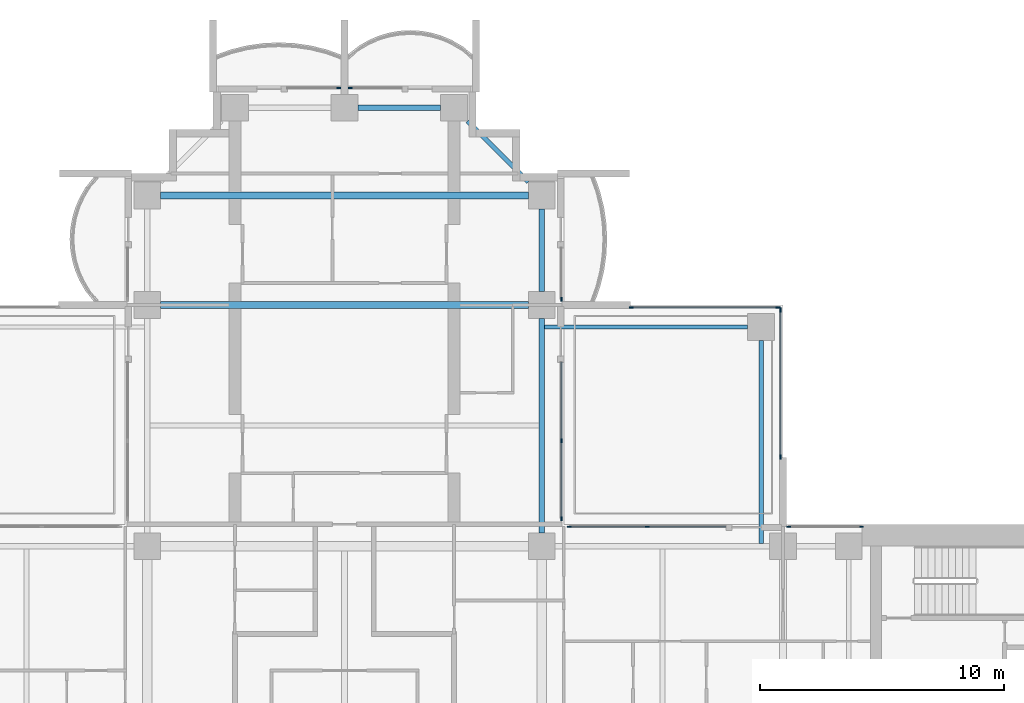
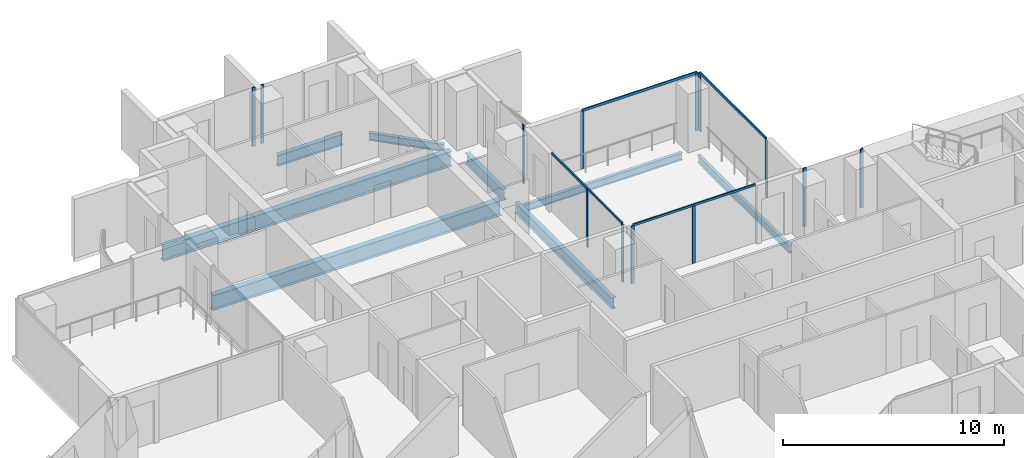
# One storey, part 6 of 18: 17 members, 8 beams, 8 elements without a shape of their own.
"""IFC4 building model written with IfcOpenShell, lengths in metres."""

from ifc_helpers import new_model, si_unit, direction, frame, origin, origin_2d, place, context, subcontext, project, spatial, rectangle, i_section, extrude, material, material_profile, profile_set, type_object, element, aggregate, save


model = new_model("IFC4")

# Units and contexts
model_context = context("Model", 3, precision=1e-05, world=origin(), true_north=direction((0.0, 1.0)))
body_context = subcontext(model_context, "Body", "Model", "MODEL_VIEW")
ifc_project = project(units=[si_unit("LENGTHUNIT", "METRE"), si_unit("AREAUNIT", "SQUARE_METRE"), si_unit("VOLUMEUNIT", "CUBIC_METRE"), si_unit("PLANEANGLEUNIT", "RADIAN"), si_unit("MASSUNIT", "GRAM", prefix="KILO")], contexts=[model_context])

# Site, building, storey
site_placement = place(None, origin())
site = spatial("IfcSite", under=ifc_project, at=site_placement, CompositionType="ELEMENT")
building_placement = place(site_placement, origin())
building = spatial("IfcBuilding", under=site, at=building_placement, Name="Perihelion Cross Residences", CompositionType="ELEMENT")
storey_placement = place(building_placement, frame((0.0, 0.0, 123.39990234375)))
storey = spatial("IfcBuildingStorey", under=building, at=storey_placement, Name="L29", CompositionType="ELEMENT", Elevation=123.39990234375)

# Curtain wall, members
ifc_material_1 = material(Name="Bronze anodised aluminium, tinted glazing", Category="aluminium")
curtain_wall_type_1 = type_object("IfcCurtainWallType", Name="CW1", PredefinedType="NOTDEFINED", material=ifc_material_1)
curtain_wall_1_placement = place(storey_placement, origin())
curtain_wall_1 = element("IfcCurtainWall", 1, at=curtain_wall_1_placement, inside=storey, type_object=curtain_wall_type_1, Name="Curtain wall CW1 L29 east side north bay 1", PredefinedType="NOTDEFINED")
ifc_material_2 = material(Name="Bronze anodised aluminium", Category="aluminium")
ifc_material_profile_1 = material_profile(ifc_material_2, rectangle(XDim=0.06005859375, YDim=0.159912109375, at=origin_2d()), Name="CW1 mullion")
ifc_profile_set_1 = profile_set([ifc_material_profile_1], Name="Bronze anodised aluminium")
member_type_1 = type_object("IfcMemberType", Name="CW1 mullion", PredefinedType="MULLION", material=ifc_profile_set_1)
member_1_placement = place(storey_placement, frame((21.219970703125, 8.89990234375, 0.0), z_axis=(0.0, 0.0, 1.0), x_axis=(0.0, -1.0, 0.0)))
member_1 = element("IfcMember", 2, at=member_1_placement, type_object=member_type_1, Name="CW1 mullion 1", PredefinedType="MULLION", context=body_context, shape_type="SweptSolid", body=[
    extrude(rectangle(XDim=0.06005859375, YDim=0.159912109375, at=origin_2d()), origin(), (0.0, 0.0, 1.0), 3.25),
])
member_2_placement = place(storey_placement, frame((18.22998046875, 8.89990234375, 0.0), z_axis=(0.0, 0.0, 1.0), x_axis=(0.0, -1.0, 0.0)))
member_2 = element("IfcMember", 3, at=member_2_placement, type_object=member_type_1, Name="CW1 mullion 2", PredefinedType="MULLION", context=body_context, shape_type="SweptSolid", body=[
    extrude(rectangle(XDim=0.06005859375, YDim=0.159912109375, at=origin_2d()), origin(), (0.0, 0.0, 1.0), 3.25),
])
aggregate(curtain_wall_1, [member_1, member_2])

curtain_wall_2_placement = place(storey_placement, origin())
curtain_wall_2 = element("IfcCurtainWall", 4, at=curtain_wall_2_placement, inside=storey, type_object=curtain_wall_type_1, Name="Curtain wall CW1 L29 east side north bay 2", PredefinedType="NOTDEFINED")
member_3_placement = place(storey_placement, frame((12.425048828125, 8.89990234375, 0.0), z_axis=(0.0, 0.0, 1.0), x_axis=(0.0, -1.0, 0.0)))
member_3 = element("IfcMember", 5, at=member_3_placement, type_object=member_type_1, Name="CW1 mullion 2", PredefinedType="MULLION", context=body_context, shape_type="SweptSolid", body=[
    extrude(rectangle(XDim=0.06005859375, YDim=0.159912109375, at=origin_2d()), origin(), (0.0, 0.0, 1.0), 3.190185546875),
])
member_4_placement = place(storey_placement, frame((9.22998046875, 8.89990234375, 0.0), z_axis=(0.0, 0.0, 1.0), x_axis=(0.0, -1.0, 0.0)))
member_4 = element("IfcMember", 6, at=member_4_placement, type_object=member_type_1, Name="CW1 mullion 3", PredefinedType="MULLION", context=body_context, shape_type="SweptSolid", body=[
    extrude(rectangle(XDim=0.06005859375, YDim=0.159912109375, at=origin_2d()), origin(), (0.0, 0.0, 1.0), 3.190185546875),
])

curtain_wall_3_placement = place(storey_placement, origin())
curtain_wall_3 = element("IfcCurtainWall", 7, at=curtain_wall_3_placement, inside=storey, type_object=curtain_wall_type_1, Name="Curtain wall CW1 L29 north side east bay 1", PredefinedType="NOTDEFINED")
member_5_placement = place(storey_placement, frame((8.89990234375, 9.22998046875, 0.0), z_axis=(0.0, 0.0, 1.0), x_axis=(-1.0, 0.0, 0.0)))
member_5 = element("IfcMember", 8, at=member_5_placement, type_object=member_type_1, Name="CW1 mullion 1", PredefinedType="MULLION", context=body_context, shape_type="SweptSolid", body=[
    extrude(rectangle(XDim=0.06005859375, YDim=0.159912109375, at=origin_2d()), origin(), (0.0, 0.0, 1.0), 3.190185546875),
])
member_6_placement = place(storey_placement, frame((8.89990234375, 12.425048828125, 0.0), z_axis=(0.0, 0.0, 1.0), x_axis=(-1.0, 0.0, 0.0)))
member_6 = element("IfcMember", 9, at=member_6_placement, type_object=member_type_1, Name="CW1 mullion 2", PredefinedType="MULLION", context=body_context, shape_type="SweptSolid", body=[
    extrude(rectangle(XDim=0.06005859375, YDim=0.159912109375, at=origin_2d()), origin(), (0.0, 0.0, 1.0), 3.190185546875),
])

# Curtain wall, member
curtain_wall_4_placement = place(storey_placement, origin())
curtain_wall_4 = element("IfcCurtainWall", 10, at=curtain_wall_4_placement, inside=storey, type_object=curtain_wall_type_1, Name="Curtain wall CW1 L29 north side east bay 2", PredefinedType="NOTDEFINED")
member_7_placement = place(storey_placement, frame((8.89990234375, 18.22998046875, 0.0), z_axis=(0.0, 0.0, 1.0), x_axis=(-1.0, 0.0, 0.0)))
member_7 = element("IfcMember", 11, at=member_7_placement, type_object=member_type_1, Name="CW1 mullion 1", PredefinedType="MULLION", context=body_context, shape_type="SweptSolid", body=[
    extrude(rectangle(XDim=0.06005859375, YDim=0.159912109375, at=origin_2d()), origin(), (0.0, 0.0, 1.0), 3.25),
])
aggregate(curtain_wall_4, [member_7])

curtain_wall_5_placement = place(storey_placement, origin())
curtain_wall_5 = element("IfcCurtainWall", 12, at=curtain_wall_5_placement, inside=storey, type_object=curtain_wall_type_1, Name="Curtain wall CW1 L29 north tip north bay 1", PredefinedType="NOTDEFINED")
member_8_placement = place(storey_placement, frame((0.22998046875, 26.89990234375, 0.0), z_axis=(0.0, 0.0, 1.0), x_axis=(0.0, -1.0, 0.0)))
member_8 = element("IfcMember", 13, at=member_8_placement, type_object=member_type_1, Name="CW1 mullion 2", PredefinedType="MULLION", context=body_context, shape_type="SweptSolid", body=[
    extrude(rectangle(XDim=0.06005859375, YDim=0.159912109375, at=origin_2d()), origin(), (0.0, 0.0, 1.0), 3.25),
])
aggregate(curtain_wall_5, [member_8])

curtain_wall_6_placement = place(storey_placement, origin())
curtain_wall_6 = element("IfcCurtainWall", 14, at=curtain_wall_6_placement, inside=storey, type_object=curtain_wall_type_1, Name="Curtain wall CW1 L29 north tip north bay 2", PredefinedType="NOTDEFINED")
member_9_placement = place(storey_placement, frame((-0.22998046875, 26.89990234375, 0.0), z_axis=(0.0, 0.0, 1.0), x_axis=(0.0, -1.0, 0.0)))
member_9 = element("IfcMember", 15, at=member_9_placement, type_object=member_type_1, Name="CW1 mullion 1", PredefinedType="MULLION", context=body_context, shape_type="SweptSolid", body=[
    extrude(rectangle(XDim=0.06005859375, YDim=0.159912109375, at=origin_2d()), origin(), (0.0, 0.0, 1.0), 3.25),
])
aggregate(curtain_wall_6, [member_9])

# Member
ifc_material_3 = material(Name="Bronze anodised aluminium", Category="aluminium")
ifc_material_profile_2 = material_profile(ifc_material_3, rectangle(XDim=0.06005859375, YDim=0.1201171875, at=origin_2d()), Name="CW1 transom")
ifc_profile_set_2 = profile_set([ifc_material_profile_2], Name="Bronze anodised aluminium")
member_type_2 = type_object("IfcMemberType", Name="CW1 transom", PredefinedType="USERDEFINED", material=ifc_profile_set_2)
member_10_placement = place(storey_placement, frame((15.64990234375, 8.89990234375, 3.22021484375), z_axis=(-1.0, 0.0, 0.0), x_axis=(0.0, -1.0, 0.0)))
member_10 = element("IfcMember", 16, at=member_10_placement, type_object=member_type_2, Name="CW1 head transom", ObjectType="TRANSOM", PredefinedType="USERDEFINED", context=body_context, shape_type="SweptSolid", body=[
    extrude(rectangle(XDim=0.06005859375, YDim=0.1201171875, at=origin_2d()), origin(), (0.0, 0.0, 1.0), 6.419921875),
])

aggregate(curtain_wall_2, [member_3, member_4, member_10])

member_11_placement = place(storey_placement, frame((8.89990234375, 9.22998046875, 3.22021484375), z_axis=(0.0, 1.0, 0.0), x_axis=(-1.0, 0.0, 0.0)))
member_11 = element("IfcMember", 17, at=member_11_placement, type_object=member_type_2, Name="CW1 head transom", ObjectType="TRANSOM", PredefinedType="USERDEFINED", context=body_context, shape_type="SweptSolid", body=[
    extrude(rectangle(XDim=0.06005859375, YDim=0.1201171875, at=origin_2d()), origin(), (0.0, 0.0, 1.0), 6.419921875),
])

aggregate(curtain_wall_3, [member_5, member_6, member_11])

# Curtain wall, members
ifc_material_4 = material(Name="Bronze anodised aluminium, tinted glazing", Category="aluminium")
curtain_wall_type_2 = type_object("IfcCurtainWallType", Name="CW4", PredefinedType="NOTDEFINED", material=ifc_material_4)
curtain_wall_7_placement = place(storey_placement, origin())
curtain_wall_7 = element("IfcCurtainWall", 18, at=curtain_wall_7_placement, inside=storey, type_object=curtain_wall_type_2, Name="Curtain wall CW4 L29 pocket north-east 1 1", PredefinedType="NOTDEFINED")
ifc_material_5 = material(Name="Bronze anodised aluminium", Category="aluminium")
ifc_material_profile_3 = material_profile(ifc_material_5, rectangle(XDim=0.06005859375, YDim=0.179931640625, at=origin_2d()), Name="CW4 mullion")
ifc_profile_set_3 = profile_set([ifc_material_profile_3], Name="Bronze anodised aluminium")
member_type_3 = type_object("IfcMemberType", Name="CW4 mullion", PredefinedType="MULLION", material=ifc_profile_set_3)
member_12_placement = place(storey_placement, frame((11.77001953125, 17.89990234375, 0.0), z_axis=(0.0, 0.0, 1.0), x_axis=(0.0, 1.0, 0.0)))
member_12 = element("IfcMember", 19, at=member_12_placement, type_object=member_type_3, Name="CW4 mullion 1", PredefinedType="MULLION", context=body_context, shape_type="SweptSolid", body=[
    extrude(rectangle(XDim=0.06005859375, YDim=0.179931640625, at=origin_2d()), origin(), (0.0, 0.0, 1.0), 3.190185546875),
])
member_13_placement = place(storey_placement, frame((17.800048828125, 17.89990234375, 0.0), z_axis=(0.0, 0.0, 1.0), x_axis=(0.0, 1.0, 0.0)))
member_13 = element("IfcMember", 20, at=member_13_placement, type_object=member_type_3, Name="CW4 mullion 2", PredefinedType="MULLION", context=body_context, shape_type="SweptSolid", body=[
    extrude(rectangle(XDim=0.06005859375, YDim=0.179931640625, at=origin_2d()), origin(), (0.0, 0.0, 1.0), 3.190185546875),
])

curtain_wall_8_placement = place(storey_placement, origin())
curtain_wall_8 = element("IfcCurtainWall", 21, at=curtain_wall_8_placement, inside=storey, type_object=curtain_wall_type_2, Name="Curtain wall CW4 L29 pocket north-east 1 2", PredefinedType="NOTDEFINED")
member_14_placement = place(storey_placement, frame((17.89990234375, 17.800048828125, 0.0), z_axis=(0.0, 0.0, 1.0), x_axis=(1.0, 0.0, 0.0)))
member_14 = element("IfcMember", 22, at=member_14_placement, type_object=member_type_3, Name="CW4 mullion 1", PredefinedType="MULLION", context=body_context, shape_type="SweptSolid", body=[
    extrude(rectangle(XDim=0.06005859375, YDim=0.179931640625, at=origin_2d()), origin(), (0.0, 0.0, 1.0), 3.190185546875),
])
member_15_placement = place(storey_placement, frame((17.89990234375, 11.77001953125, 0.0), z_axis=(0.0, 0.0, 1.0), x_axis=(1.0, 0.0, 0.0)))
member_15 = element("IfcMember", 23, at=member_15_placement, type_object=member_type_3, Name="CW4 mullion 2", PredefinedType="MULLION", context=body_context, shape_type="SweptSolid", body=[
    extrude(rectangle(XDim=0.06005859375, YDim=0.179931640625, at=origin_2d()), origin(), (0.0, 0.0, 1.0), 3.190185546875),
])

# Member
ifc_material_6 = material(Name="Bronze anodised aluminium", Category="aluminium")
ifc_material_profile_4 = material_profile(ifc_material_6, rectangle(XDim=0.06005859375, YDim=0.139892578125, at=origin_2d()), Name="CW4 transom")
ifc_profile_set_4 = profile_set([ifc_material_profile_4], Name="Bronze anodised aluminium")
member_type_4 = type_object("IfcMemberType", Name="CW4 transom", PredefinedType="USERDEFINED", material=ifc_profile_set_4)
member_16_placement = place(storey_placement, frame((11.77001953125, 17.89990234375, 3.22021484375), z_axis=(1.0, 0.0, 0.0), x_axis=(0.0, 1.0, 0.0)))
member_16 = element("IfcMember", 24, at=member_16_placement, type_object=member_type_4, Name="CW4 head transom", ObjectType="TRANSOM", PredefinedType="USERDEFINED", context=body_context, shape_type="SweptSolid", body=[
    extrude(rectangle(XDim=0.06005859375, YDim=0.139892578125, at=origin_2d()), origin(), (0.0, 0.0, 1.0), 6.030029296875),
])

aggregate(curtain_wall_7, [member_12, member_13, member_16])

member_17_placement = place(storey_placement, frame((17.89990234375, 17.800048828125, 3.22021484375), z_axis=(0.0, -1.0, 0.0), x_axis=(1.0, 0.0, 0.0)))
member_17 = element("IfcMember", 25, at=member_17_placement, type_object=member_type_4, Name="CW4 head transom", ObjectType="TRANSOM", PredefinedType="USERDEFINED", context=body_context, shape_type="SweptSolid", body=[
    extrude(rectangle(XDim=0.06005859375, YDim=0.139892578125, at=origin_2d()), origin(), (0.0, 0.0, 1.0), 6.030029296875),
])

aggregate(curtain_wall_8, [member_14, member_15, member_17])

# Beams
ifc_material_7 = material(Name="Steel S355", Category="steel")
ifc_material_profile_5 = material_profile(ifc_material_7, i_section(OverallWidth=0.177978515625, OverallDepth=0.406005859375, WebThickness=0.0078125, FlangeThickness=0.0126953125, at=origin_2d()), Name="W410x60")
ifc_profile_set_5 = profile_set([ifc_material_profile_5], Name="Steel S355")
beam_type_1 = type_object("IfcBeamType", Name="Core edge beam W410x60", PredefinedType="BEAM", material=ifc_profile_set_5)
for number, where, z_axis, x_axis, name in (
    (26, (17.10009765625, 8.214599609375, -0.452880859375), (0.0, 1.0, 0.0), (-1.0, 0.0, 0.0), "Core edge beam TB2 L29 corner no. 7"),
    (27, (8.214599609375, 17.10009765625, -0.452880859375), (1.0, 0.0, 0.0), (0.0, 1.0, 0.0), "Core edge beam TB2 L29 corner no. 8"),
):
    element("IfcBeam", number, at=place(storey_placement, frame(where, z_axis=z_axis, x_axis=x_axis)), inside=storey, type_object=beam_type_1, Name=name, PredefinedType="BEAM", context=body_context, shape_type="SweptSolid", body=[
        extrude(i_section(OverallWidth=0.177978515625, OverallDepth=0.406005859375, WebThickness=0.0078125, FlangeThickness=0.0126953125, at=origin_2d()), origin(), (0.0, 0.0, 1.0), 8.33544921875),
    ])
ifc_material_8 = material(Name="Steel S355", Category="steel")
ifc_material_profile_6 = material_profile(ifc_material_8, i_section(OverallWidth=0.22900390625, OverallDepth=0.612060546875, WebThickness=0.011962890625, FlangeThickness=0.01953125, at=origin_2d()), Name="W610x125")
ifc_profile_set_6 = profile_set([ifc_material_profile_6], Name="Steel S355")
beam_type_2 = type_object("IfcBeamType", Name="Edge beam W610x125", PredefinedType="SPANDREL", material=ifc_profile_set_6)
beam_1_placement = place(storey_placement, frame((8.10009765625, 8.64990234375, -0.555908203125), z_axis=(0.0, 1.0, 0.0), x_axis=(-1.0, 0.0, 0.0)))
element("IfcBeam", 28, at=beam_1_placement, inside=storey, type_object=beam_type_2, Name="Edge beam SB3 L29 no. 18", PredefinedType="SPANDREL", context=body_context, shape_type="SweptSolid", body=[
    extrude(i_section(OverallWidth=0.22900390625, OverallDepth=0.612060546875, WebThickness=0.011962890625, FlangeThickness=0.01953125, at=origin_2d()), origin(), (0.0, 0.0, 1.0), 8.800048828125),
])
for number, where, z_axis, x_axis, name in (
    (29, (8.10009765625, 18.550048828125, -0.555908203125), (0.0, 1.0, 0.0), (-1.0, 0.0, 0.0), "Edge beam SB3 L29 no. 17"),
    (30, (3.949951171875, 26.10009765625, -0.555908203125), (-1.0, 0.0, 0.0), (0.0, -1.0, 0.0), "Edge beam SB3 L29 no. 14"),
):
    element("IfcBeam", number, at=place(storey_placement, frame(where, z_axis=z_axis, x_axis=x_axis)), inside=storey, type_object=beam_type_2, Name=name, PredefinedType="SPANDREL", context=body_context, shape_type="SweptSolid", body=[
        extrude(i_section(OverallWidth=0.22900390625, OverallDepth=0.612060546875, WebThickness=0.011962890625, FlangeThickness=0.01953125, at=origin_2d()), origin(), (0.0, 0.0, 1.0), 3.39990234375),
    ])
ifc_material_9 = material(Name="Steel S355", Category="steel")
ifc_material_profile_7 = material_profile(ifc_material_9, i_section(OverallWidth=0.2919921875, OverallDepth=0.8359375, WebThickness=0.013916015625, FlangeThickness=0.018798828125, at=origin_2d()), Name="W840x176")
ifc_profile_set_7 = profile_set([ifc_material_profile_7], Name="Steel S355")
beam_type_3 = type_object("IfcBeamType", Name="Floor girder W840x176", PredefinedType="BEAM", material=ifc_profile_set_7)
for number, where, z_axis, x_axis, name in (
    (31, (-7.550048828125, 18.0, -0.66796875), (1.0, 0.0, 0.0), (0.0, 1.0, 0.0), "Girder G3 L29 no. 4"),
    (32, (-7.550048828125, 22.5, -0.66796875), (1.0, 0.0, 0.0), (0.0, 1.0, 0.0), "Girder G3 L29 no. 5"),
):
    element("IfcBeam", number, at=place(storey_placement, frame(where, z_axis=z_axis, x_axis=x_axis)), inside=storey, type_object=beam_type_3, Name=name, PredefinedType="BEAM", context=body_context, shape_type="SweptSolid", body=[
        extrude(i_section(OverallWidth=0.2919921875, OverallDepth=0.8359375, WebThickness=0.013916015625, FlangeThickness=0.018798828125, at=origin_2d()), origin(), (0.0, 0.0, 1.0), 15.10009765625),
    ])
ifc_material_10 = material(Name="Steel S355", Category="steel")
ifc_material_profile_8 = material_profile(ifc_material_10, i_section(OverallWidth=0.180908203125, OverallDepth=0.4169921875, WebThickness=0.010986328125, FlangeThickness=0.018310546875, at=origin_2d()), Name="W410x85")
ifc_profile_set_8 = profile_set([ifc_material_profile_8], Name="Steel S355")
beam_type_4 = type_object("IfcBeamType", Name="Serration edge beam W410x85", PredefinedType="BEAM", material=ifc_profile_set_8)
beam_2_placement = place(storey_placement, frame((7.550048828125, 23.050048828125, -0.45849609375), z_axis=(-0.707106781187, 0.707106781187, 0.0), x_axis=(-0.707106781187, -0.707106781187, 0.0)))
element("IfcBeam", 33, at=beam_2_placement, inside=storey, type_object=beam_type_4, Name="Serration edge beam EB3 L29 no. 4", PredefinedType="BEAM", context=body_context, shape_type="SweptSolid", body=[
    extrude(i_section(OverallWidth=0.180908203125, OverallDepth=0.4169921875, WebThickness=0.010986328125, FlangeThickness=0.018310546875, at=origin_2d()), origin(), (0.0, 0.0, 1.0), 3.53564453125),
])

save(model, "model.ifc")
